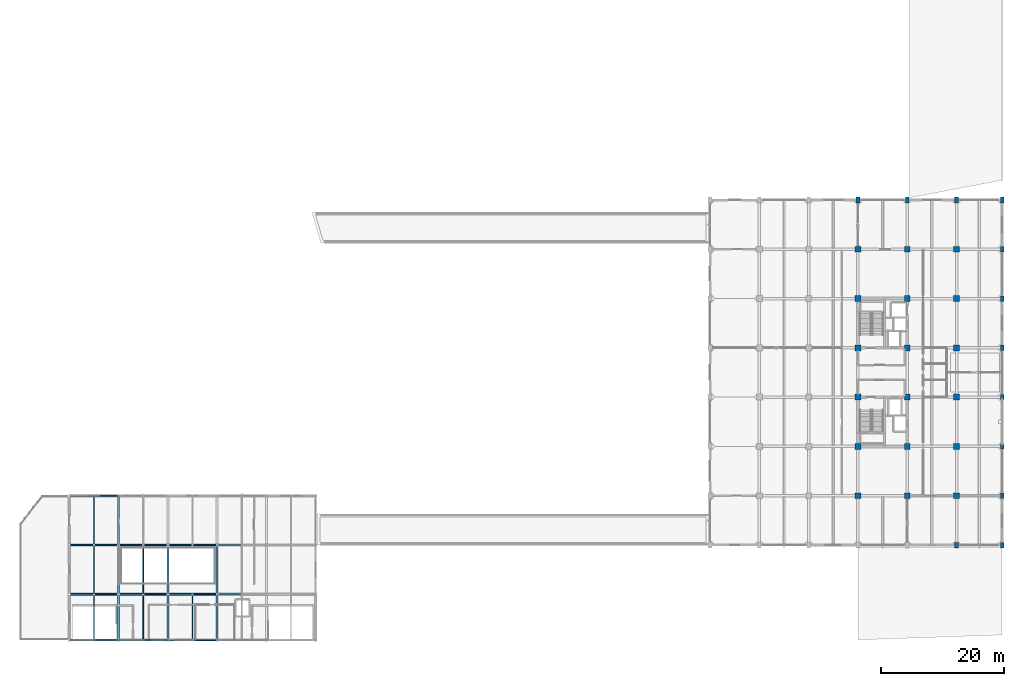
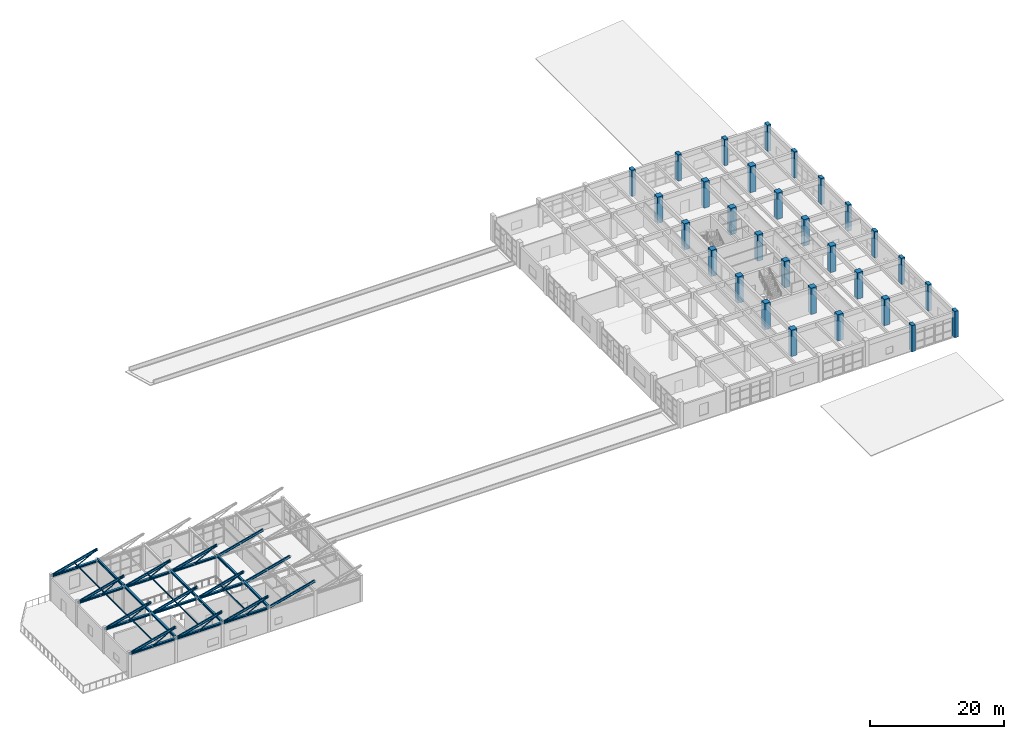
# One storey, part 2 of 63: 30 columns, 26 members, 20 beams.
"""IFC4 building model written with IfcOpenShell, lengths in metres."""

from ifc_helpers import new_model, si_unit, direction, frame, origin, origin_2d, place, context, subcontext, project, spatial, rectangle, hollow_rectangle, hollow_circle, i_section, extrude, material, material_profile, profile_set, type_object, element, save


model = new_model("IFC4")

# Units and contexts
model_context = context("Model", 3, precision=1e-05, world=origin(), true_north=direction((0.0, 1.0)))
body_context = subcontext(model_context, "Body", "Model", "MODEL_VIEW")
ifc_project = project(units=[si_unit("LENGTHUNIT", "METRE"), si_unit("AREAUNIT", "SQUARE_METRE"), si_unit("VOLUMEUNIT", "CUBIC_METRE"), si_unit("PLANEANGLEUNIT", "RADIAN"), si_unit("MASSUNIT", "GRAM", prefix="KILO")], contexts=[model_context])

# Site, building, storey
site_placement = place(None, origin())
site = spatial("IfcSite", under=ifc_project, at=site_placement, CompositionType="ELEMENT")
building_placement = place(site_placement, origin())
building = spatial("IfcBuilding", under=site, at=building_placement, Name="Canggui Botanical Conservatory", CompositionType="ELEMENT")
storey_placement = place(building_placement, frame((0.0, 0.0, 10.199951171875)))
storey = spatial("IfcBuildingStorey", under=building, at=storey_placement, Name="L03", CompositionType="ELEMENT", Elevation=10.199951171875)

# Columns
ifc_material_1 = material(Name="Concrete C50", Category="concrete")
ifc_material_profile_1 = material_profile(ifc_material_1, rectangle(XDim=0.949951171875, YDim=0.949951171875, at=origin_2d()), Name="RC 950x950")
ifc_profile_set_1 = profile_set([ifc_material_profile_1], Name="Concrete C50")
column_type_1 = type_object("IfcColumnType", Name="COL-KZ04", PredefinedType="COLUMN", material=ifc_profile_set_1)
for number, where, z_axis, x_axis, name in (
    (1, (154.0, 34.0, 0.0), (0.0, 0.0, 1.0), (1.0, 0.0, 0.0), "Tower RC Column L03 (154,34)"),
    (2, (154.0, 42.0, 0.0), (0.0, 0.0, 1.0), (1.0, 0.0, 0.0), "Tower RC Column L03 (154,42)"),
    (3, (154.0, 50.0, 0.0), (0.0, 0.0, 1.0), (1.0, 0.0, 0.0), "Tower RC Column L03 (154,50)"),
    (4, (154.0, 58.0, 0.0), (0.0, 0.0, 1.0), (1.0, 0.0, 0.0), "Tower RC Column L03 (154,58)"),
    (5, (154.0, 66.0, 0.0), (0.0, 0.0, 1.0), (1.0, 0.0, 0.0), "Tower RC Column L03 (154,66)"),
    (6, (154.0, 74.0, 0.0), (0.0, 0.0, 1.0), (1.0, 0.0, 0.0), "Tower RC Column L03 (154,74)"),
    (7, (162.0, 34.0, 0.0), (0.0, 0.0, 1.0), (1.0, 0.0, 0.0), "Tower RC Column L03 (162,34)"),
    (8, (162.0, 42.0, 0.0), (0.0, 0.0, 1.0), (1.0, 0.0, 0.0), "Tower RC Column L03 (162,42)"),
    (9, (162.0, 50.0, 0.0), (0.0, 0.0, 1.0), (1.0, 0.0, 0.0), "Tower RC Column L03 (162,50)"),
    (10, (162.0, 58.0, 0.0), (0.0, 0.0, 1.0), (1.0, 0.0, 0.0), "Tower RC Column L03 (162,58)"),
    (11, (162.0, 66.0, 0.0), (0.0, 0.0, 1.0), (1.0, 0.0, 0.0), "Tower RC Column L03 (162,66)"),
    (12, (162.0, 74.0, 0.0), (0.0, 0.0, 1.0), (1.0, 0.0, 0.0), "Tower RC Column L03 (162,74)"),
    (13, (170.0, 34.0, 0.0), (0.0, 0.0, 1.0), (1.0, 0.0, 0.0), "Tower RC Column L03 (170,34)"),
    (14, (170.0, 42.0, 0.0), (0.0, 0.0, 1.0), (1.0, 0.0, 0.0), "Tower RC Column L03 (170,42)"),
    (15, (170.0, 50.0, 0.0), (0.0, 0.0, 1.0), (1.0, 0.0, 0.0), "Tower RC Column L03 (170,50)"),
    (16, (170.0, 58.0, 0.0), (0.0, 0.0, 1.0), (1.0, 0.0, 0.0), "Tower RC Column L03 (170,58)"),
    (17, (170.0, 66.0, 0.0), (0.0, 0.0, 1.0), (1.0, 0.0, 0.0), "Tower RC Column L03 (170,66)"),
    (18, (170.0, 74.0, 0.0), (0.0, 0.0, 1.0), (1.0, 0.0, 0.0), "Tower RC Column L03 (170,74)"),
):
    element("IfcColumn", number, at=place(storey_placement, frame(where, z_axis=z_axis, x_axis=x_axis)), inside=storey, type_object=column_type_1, Name=name, PredefinedType="COLUMN", context=body_context, shape_type="SweptSolid", body=[
        extrude(rectangle(XDim=0.949951171875, YDim=0.949951171875, at=origin_2d()), origin(), (0.0, 0.0, 1.0), 4.800048828125),
    ])
ifc_material_profile_2 = material_profile(ifc_material_1, rectangle(XDim=0.60009765625, YDim=0.89990234375, at=origin_2d()), Name="RC 600x900")
ifc_profile_set_2 = profile_set([ifc_material_profile_2], Name="Concrete C50")
column_type_2 = type_object("IfcColumnType", Name="COL-KZ17", PredefinedType="COLUMN", material=ifc_profile_set_2)
for number, where, z_axis, x_axis, name in (
    (19, (154.0, 82.0, 0.0), (0.0, 0.0, 1.0), (1.0, 0.0, 0.0), "Tower RC Column L03 (154,82)"),
    (20, (162.0, 82.0, 0.0), (0.0, 0.0, 1.0), (1.0, 0.0, 0.0), "Tower RC Column L03 (162,82)"),
    (21, (170.0, 26.0, 0.0), (0.0, 0.0, 1.0), (1.0, 0.0, 0.0), "Tower RC Column L03 (170,26)"),
    (22, (170.0, 82.0, 0.0), (0.0, 0.0, 1.0), (1.0, 0.0, 0.0), "Tower RC Column L03 (170,82)"),
    (23, (177.39990234375, 26.0, 0.0), (0.0, 0.0, 1.0), (1.0, 0.0, 0.0), "Tower RC Column L03 (178,26)"),
    (24, (177.39990234375, 34.0, 0.0), (0.0, 0.0, 1.0), (1.0, 0.0, 0.0), "Tower RC Column L03 (178,34)"),
    (25, (177.39990234375, 42.0, 0.0), (0.0, 0.0, 1.0), (1.0, 0.0, 0.0), "Tower RC Column L03 (178,42)"),
    (26, (177.39990234375, 50.0, 0.0), (0.0, 0.0, 1.0), (1.0, 0.0, 0.0), "Tower RC Column L03 (178,50)"),
    (27, (177.39990234375, 58.0, 0.0), (0.0, 0.0, 1.0), (1.0, 0.0, 0.0), "Tower RC Column L03 (178,58)"),
    (28, (177.39990234375, 66.0, 0.0), (0.0, 0.0, 1.0), (1.0, 0.0, 0.0), "Tower RC Column L03 (178,66)"),
    (29, (177.39990234375, 74.0, 0.0), (0.0, 0.0, 1.0), (1.0, 0.0, 0.0), "Tower RC Column L03 (178,74)"),
    (30, (177.39990234375, 82.0, 0.0), (0.0, 0.0, 1.0), (1.0, 0.0, 0.0), "Tower RC Column L03 (178,82)"),
):
    element("IfcColumn", number, at=place(storey_placement, frame(where, z_axis=z_axis, x_axis=x_axis)), inside=storey, type_object=column_type_2, Name=name, PredefinedType="COLUMN", context=body_context, shape_type="SweptSolid", body=[
        extrude(rectangle(XDim=0.60009765625, YDim=0.89990234375, at=origin_2d()), origin(), (0.0, 0.0, 1.0), 4.800048828125),
    ])

# Beams
ifc_material_2 = material(Name="Steel Q355B", Category="steel")
ifc_material_profile_3 = material_profile(ifc_material_2, i_section(OverallWidth=0.300048828125, OverallDepth=0.39990234375, WebThickness=0.010009765625, FlangeThickness=0.01611328125, FilletRadius=0.02197265625, at=origin_2d()), Name="HM 400x300x10x16")
ifc_profile_set_3 = profile_set([ifc_material_profile_3], Name="Steel Q355B")
beam_type_1 = type_object("IfcBeamType", Name="BM-GL03", PredefinedType="BEAM", material=ifc_profile_set_3)
beam_1_placement = place(storey_placement, frame((34.0, 10.60009765625, 4.60009765625), z_axis=(0.0, 1.0, 0.0), x_axis=(-1.0, 0.0, 0.0)))
element("IfcBeam", 31, at=beam_1_placement, inside=storey, type_object=beam_type_1, Name="Visitor Clerestory Support Girder 1-1", PredefinedType="BEAM", context=body_context, shape_type="SweptSolid", body=[
    extrude(i_section(OverallWidth=0.300048828125, OverallDepth=0.39990234375, WebThickness=0.010009765625, FlangeThickness=0.01611328125, FilletRadius=0.02197265625, at=origin_2d()), origin(), (0.0, 0.0, 1.0), 7.39990234375),
])
for number, where, z_axis, x_axis, name in (
    (32, (34.0, 18.0, 4.60009765625), (0.0, 1.0, 0.0), (-1.0, 0.0, 0.0), "Visitor Clerestory Support Girder 1-2"),
    (33, (34.0, 26.0, 4.60009765625), (0.0, 1.0, 0.0), (-1.0, 0.0, 0.0), "Visitor Clerestory Support Girder 1-3"),
):
    element("IfcBeam", number, at=place(storey_placement, frame(where, z_axis=z_axis, x_axis=x_axis)), inside=storey, type_object=beam_type_1, Name=name, PredefinedType="BEAM", context=body_context, shape_type="SweptSolid", body=[
        extrude(i_section(OverallWidth=0.300048828125, OverallDepth=0.39990234375, WebThickness=0.010009765625, FlangeThickness=0.01611328125, FilletRadius=0.02197265625, at=origin_2d()), origin(), (0.0, 0.0, 1.0), 8.0),
    ])
beam_2_placement = place(storey_placement, frame((42.0, 10.60009765625, 4.60009765625), z_axis=(0.0, 1.0, 0.0), x_axis=(-1.0, 0.0, 0.0)))
element("IfcBeam", 34, at=beam_2_placement, inside=storey, type_object=beam_type_1, Name="Visitor Clerestory Support Girder 2-1", PredefinedType="BEAM", context=body_context, shape_type="SweptSolid", body=[
    extrude(i_section(OverallWidth=0.300048828125, OverallDepth=0.39990234375, WebThickness=0.010009765625, FlangeThickness=0.01611328125, FilletRadius=0.02197265625, at=origin_2d()), origin(), (0.0, 0.0, 1.0), 7.39990234375),
])
beam_3_placement = place(storey_placement, frame((42.0, 18.0, 4.60009765625), z_axis=(0.0, 1.0, 0.0), x_axis=(-1.0, 0.0, 0.0)))
element("IfcBeam", 35, at=beam_3_placement, inside=storey, type_object=beam_type_1, Name="Visitor Clerestory Support Girder 2-2", PredefinedType="BEAM", context=body_context, shape_type="SweptSolid", body=[
    extrude(i_section(OverallWidth=0.300048828125, OverallDepth=0.39990234375, WebThickness=0.010009765625, FlangeThickness=0.01611328125, FilletRadius=0.02197265625, at=origin_2d()), origin(), (0.0, 0.0, 1.0), 8.0),
])
beam_4_placement = place(storey_placement, frame((50.0, 10.60009765625, 4.60009765625), z_axis=(0.0, 1.0, 0.0), x_axis=(-1.0, 0.0, 0.0)))
element("IfcBeam", 36, at=beam_4_placement, inside=storey, type_object=beam_type_1, Name="Visitor Clerestory Support Girder 3-1", PredefinedType="BEAM", context=body_context, shape_type="SweptSolid", body=[
    extrude(i_section(OverallWidth=0.300048828125, OverallDepth=0.39990234375, WebThickness=0.010009765625, FlangeThickness=0.01611328125, FilletRadius=0.02197265625, at=origin_2d()), origin(), (0.0, 0.0, 1.0), 7.39990234375),
])
beam_5_placement = place(storey_placement, frame((50.0, 18.0, 4.60009765625), z_axis=(0.0, 1.0, 0.0), x_axis=(-1.0, 0.0, 0.0)))
element("IfcBeam", 37, at=beam_5_placement, inside=storey, type_object=beam_type_1, Name="Visitor Clerestory Support Girder 3-2", PredefinedType="BEAM", context=body_context, shape_type="SweptSolid", body=[
    extrude(i_section(OverallWidth=0.300048828125, OverallDepth=0.39990234375, WebThickness=0.010009765625, FlangeThickness=0.01611328125, FilletRadius=0.02197265625, at=origin_2d()), origin(), (0.0, 0.0, 1.0), 8.0),
])
ifc_material_profile_4 = material_profile(ifc_material_2, i_section(OverallWidth=0.199951171875, OverallDepth=0.449951171875, WebThickness=0.009033203125, FlangeThickness=0.013916015625, FilletRadius=0.01806640625, at=origin_2d()), Name="HN 450x200x9x14")
ifc_profile_set_4 = profile_set([ifc_material_profile_4], Name="Steel Q355B")
beam_type_2 = type_object("IfcBeamType", Name="BM-GL07", PredefinedType="BEAM", material=ifc_profile_set_4)
for number, where, z_axis, x_axis, name in (
    (38, (26.0, 10.60009765625, 4.35009765625), (0.967235314575, 0.0, 0.253881559468), (0.0, 1.0, 0.0), "Visitor Sawtooth Steel Rafter 1-Y10"),
    (39, (26.0, 18.0, 4.35009765625), (0.967235314575, 0.0, 0.253881559468), (0.0, 1.0, 0.0), "Visitor Sawtooth Steel Rafter 1-Y18"),
    (40, (26.0, 26.0, 4.35009765625), (0.967235314575, 0.0, 0.253881559468), (0.0, 1.0, 0.0), "Visitor Sawtooth Steel Rafter 1-Y26"),
    (41, (26.0, 34.0, 4.35009765625), (0.967235314575, 0.0, 0.253881559468), (0.0, 1.0, 0.0), "Visitor Sawtooth Steel Rafter 1-Y34"),
    (42, (34.0, 10.60009765625, 4.35009765625), (0.967235314575, 0.0, 0.253881559468), (0.0, 1.0, 0.0), "Visitor Sawtooth Steel Rafter 2-Y10"),
    (43, (34.0, 18.0, 4.35009765625), (0.967235314575, 0.0, 0.253881559468), (0.0, 1.0, 0.0), "Visitor Sawtooth Steel Rafter 2-Y18"),
    (44, (34.0, 26.0, 4.35009765625), (0.967235314575, 0.0, 0.253881559468), (0.0, 1.0, 0.0), "Visitor Sawtooth Steel Rafter 2-Y26"),
    (45, (42.0, 10.60009765625, 4.35009765625), (0.967235314575, 0.0, 0.253881559468), (0.0, 1.0, 0.0), "Visitor Sawtooth Steel Rafter 3-Y10"),
    (46, (42.0, 18.0, 4.35009765625), (0.967235314575, 0.0, 0.253881559468), (0.0, 1.0, 0.0), "Visitor Sawtooth Steel Rafter 3-Y18"),
    (47, (42.0, 26.0, 4.35009765625), (0.967235314575, 0.0, 0.253881559468), (0.0, 1.0, 0.0), "Visitor Sawtooth Steel Rafter 3-Y26"),
    (48, (50.0, 10.60009765625, 4.35009765625), (0.967235314575, 0.0, 0.253881559468), (0.0, 1.0, 0.0), "Visitor Sawtooth Steel Rafter 4-Y10"),
    (49, (50.0, 18.0, 4.35009765625), (0.967235314575, 0.0, 0.253881559468), (0.0, 1.0, 0.0), "Visitor Sawtooth Steel Rafter 4-Y18"),
    (50, (50.0, 26.0, 4.35009765625), (0.967235314575, 0.0, 0.253881559468), (0.0, 1.0, 0.0), "Visitor Sawtooth Steel Rafter 4-Y26"),
):
    element("IfcBeam", number, at=place(storey_placement, frame(where, z_axis=z_axis, x_axis=x_axis)), inside=storey, type_object=beam_type_2, Name=name, PredefinedType="BEAM", context=body_context, shape_type="SweptSolid", body=[
        extrude(i_section(OverallWidth=0.199951171875, OverallDepth=0.449951171875, WebThickness=0.009033203125, FlangeThickness=0.013916015625, FilletRadius=0.01806640625, at=origin_2d()), origin(), (0.0, 0.0, 1.0), 8.27099609375),
    ])

# Members
ifc_material_profile_5 = material_profile(ifc_material_2, hollow_rectangle(XDim=0.1201171875, YDim=0.199951171875, WallThickness=0.008056640625, at=origin_2d()), Name="RHS 120x200x8")
ifc_profile_set_5 = profile_set([ifc_material_profile_5], Name="Steel Q355B")
member_type_1 = type_object("IfcMemberType", Name="MEM-PUR02", PredefinedType="PURLIN", material=ifc_profile_set_5)
member_1_placement = place(storey_placement, frame((30.0, 10.60009765625, 5.400146484375), z_axis=(0.0, 1.0, 0.0), x_axis=(-1.0, 0.0, 0.0)))
element("IfcMember", 51, at=member_1_placement, inside=storey, type_object=member_type_1, Name="Visitor Sawtooth Roof Purlin 1-1", PredefinedType="PURLIN", context=body_context, shape_type="SweptSolid", body=[
    extrude(hollow_rectangle(XDim=0.1201171875, YDim=0.199951171875, WallThickness=0.008056640625, at=origin_2d()), origin(), (0.0, 0.0, 1.0), 7.39990234375),
])
for number, where, z_axis, x_axis, name in (
    (52, (30.0, 18.0, 5.400146484375), (0.0, 1.0, 0.0), (-1.0, 0.0, 0.0), "Visitor Sawtooth Roof Purlin 1-2"),
    (53, (30.0, 26.0, 5.400146484375), (0.0, 1.0, 0.0), (-1.0, 0.0, 0.0), "Visitor Sawtooth Roof Purlin 1-3"),
):
    element("IfcMember", number, at=place(storey_placement, frame(where, z_axis=z_axis, x_axis=x_axis)), inside=storey, type_object=member_type_1, Name=name, PredefinedType="PURLIN", context=body_context, shape_type="SweptSolid", body=[
        extrude(hollow_rectangle(XDim=0.1201171875, YDim=0.199951171875, WallThickness=0.008056640625, at=origin_2d()), origin(), (0.0, 0.0, 1.0), 8.0),
    ])
member_2_placement = place(storey_placement, frame((38.0, 10.60009765625, 5.400146484375), z_axis=(0.0, 1.0, 0.0), x_axis=(-1.0, 0.0, 0.0)))
element("IfcMember", 54, at=member_2_placement, inside=storey, type_object=member_type_1, Name="Visitor Sawtooth Roof Purlin 2-1", PredefinedType="PURLIN", context=body_context, shape_type="SweptSolid", body=[
    extrude(hollow_rectangle(XDim=0.1201171875, YDim=0.199951171875, WallThickness=0.008056640625, at=origin_2d()), origin(), (0.0, 0.0, 1.0), 7.39990234375),
])
member_3_placement = place(storey_placement, frame((38.0, 18.0, 5.400146484375), z_axis=(0.0, 1.0, 0.0), x_axis=(-1.0, 0.0, 0.0)))
element("IfcMember", 55, at=member_3_placement, inside=storey, type_object=member_type_1, Name="Visitor Sawtooth Roof Purlin 2-2", PredefinedType="PURLIN", context=body_context, shape_type="SweptSolid", body=[
    extrude(hollow_rectangle(XDim=0.1201171875, YDim=0.199951171875, WallThickness=0.008056640625, at=origin_2d()), origin(), (0.0, 0.0, 1.0), 8.0),
])
member_4_placement = place(storey_placement, frame((46.0, 10.60009765625, 5.400146484375), z_axis=(0.0, 1.0, 0.0), x_axis=(-1.0, 0.0, 0.0)))
element("IfcMember", 56, at=member_4_placement, inside=storey, type_object=member_type_1, Name="Visitor Sawtooth Roof Purlin 3-1", PredefinedType="PURLIN", context=body_context, shape_type="SweptSolid", body=[
    extrude(hollow_rectangle(XDim=0.1201171875, YDim=0.199951171875, WallThickness=0.008056640625, at=origin_2d()), origin(), (0.0, 0.0, 1.0), 7.39990234375),
])
ifc_material_profile_6 = material_profile(ifc_material_2, i_section(OverallWidth=0.35009765625, OverallDepth=0.35009765625, WebThickness=0.011962890625, FlangeThickness=0.01904296875, FilletRadius=0.02001953125, at=origin_2d()), Name="HW 350x350x12x19")
ifc_profile_set_6 = profile_set([ifc_material_profile_6], Name="Steel Q355B")
member_type_2 = type_object("IfcMemberType", Name="MEM-TC09", PredefinedType="CHORD", material=ifc_profile_set_6)
for number, where, z_axis, x_axis, name in (
    (57, (26.0, 10.60009765625, 4.35009765625), (1.0, 0.0, 0.0), (0.0, 1.0, 0.0), "Visitor Sawtooth Truss Tie Chord 1-Y10"),
    (58, (26.0, 18.0, 4.35009765625), (1.0, 0.0, 0.0), (0.0, 1.0, 0.0), "Visitor Sawtooth Truss Tie Chord 1-Y18"),
    (59, (26.0, 26.0, 4.35009765625), (1.0, 0.0, 0.0), (0.0, 1.0, 0.0), "Visitor Sawtooth Truss Tie Chord 1-Y26"),
    (60, (26.0, 34.0, 4.35009765625), (1.0, 0.0, 0.0), (0.0, 1.0, 0.0), "Visitor Sawtooth Truss Tie Chord 1-Y34"),
    (61, (34.0, 10.60009765625, 4.35009765625), (1.0, 0.0, 0.0), (0.0, 1.0, 0.0), "Visitor Sawtooth Truss Tie Chord 2-Y10"),
    (62, (34.0, 18.0, 4.35009765625), (1.0, 0.0, 0.0), (0.0, 1.0, 0.0), "Visitor Sawtooth Truss Tie Chord 2-Y18"),
    (63, (34.0, 26.0, 4.35009765625), (1.0, 0.0, 0.0), (0.0, 1.0, 0.0), "Visitor Sawtooth Truss Tie Chord 2-Y26"),
    (64, (42.0, 10.60009765625, 4.35009765625), (1.0, 0.0, 0.0), (0.0, 1.0, 0.0), "Visitor Sawtooth Truss Tie Chord 3-Y10"),
    (65, (42.0, 18.0, 4.35009765625), (1.0, 0.0, 0.0), (0.0, 1.0, 0.0), "Visitor Sawtooth Truss Tie Chord 3-Y18"),
    (66, (42.0, 26.0, 4.35009765625), (1.0, 0.0, 0.0), (0.0, 1.0, 0.0), "Visitor Sawtooth Truss Tie Chord 3-Y26"),
):
    element("IfcMember", number, at=place(storey_placement, frame(where, z_axis=z_axis, x_axis=x_axis)), inside=storey, type_object=member_type_2, Name=name, PredefinedType="CHORD", context=body_context, shape_type="SweptSolid", body=[
        extrude(i_section(OverallWidth=0.35009765625, OverallDepth=0.35009765625, WebThickness=0.011962890625, FlangeThickness=0.01904296875, FilletRadius=0.02001953125, at=origin_2d()), origin(), (0.0, 0.0, 1.0), 8.0),
    ])
ifc_material_profile_7 = material_profile(ifc_material_2, hollow_circle(Radius=0.056884765625, WallThickness=0.006103515625, at=origin_2d()), Name="CHS 114x6")
ifc_profile_set_7 = profile_set([ifc_material_profile_7], Name="Steel Q355B")
member_type_3 = type_object("IfcMemberType", Name="MEM-TW03", PredefinedType="BRACE", material=ifc_profile_set_7)
for number, where, z_axis, x_axis, name in (
    (67, (30.0, 10.60009765625, 4.35009765625), (0.88541124729, 0.0, 0.464808480099), (0.0, 1.0, 0.0), "Visitor Sawtooth Truss Diagonal 1-Y10"),
    (68, (30.0, 18.0, 4.35009765625), (0.88541124729, 0.0, 0.464808480099), (0.0, 1.0, 0.0), "Visitor Sawtooth Truss Diagonal 1-Y18"),
    (69, (30.0, 26.0, 4.35009765625), (0.88541124729, 0.0, 0.464808480099), (0.0, 1.0, 0.0), "Visitor Sawtooth Truss Diagonal 1-Y26"),
    (70, (30.0, 34.0, 4.35009765625), (0.88541124729, 0.0, 0.464808480099), (0.0, 1.0, 0.0), "Visitor Sawtooth Truss Diagonal 1-Y34"),
    (71, (38.0, 10.60009765625, 4.35009765625), (0.88541124729, 0.0, 0.464808480099), (0.0, 1.0, 0.0), "Visitor Sawtooth Truss Diagonal 2-Y10"),
    (72, (38.0, 18.0, 4.35009765625), (0.88541124729, 0.0, 0.464808480099), (0.0, 1.0, 0.0), "Visitor Sawtooth Truss Diagonal 2-Y18"),
    (73, (38.0, 26.0, 4.35009765625), (0.88541124729, 0.0, 0.464808480099), (0.0, 1.0, 0.0), "Visitor Sawtooth Truss Diagonal 2-Y26"),
    (74, (46.0, 10.60009765625, 4.35009765625), (0.88541124729, 0.0, 0.464808480099), (0.0, 1.0, 0.0), "Visitor Sawtooth Truss Diagonal 3-Y10"),
    (75, (46.0, 18.0, 4.35009765625), (0.88541124729, 0.0, 0.464808480099), (0.0, 1.0, 0.0), "Visitor Sawtooth Truss Diagonal 3-Y18"),
    (76, (46.0, 26.0, 4.35009765625), (0.88541124729, 0.0, 0.464808480099), (0.0, 1.0, 0.0), "Visitor Sawtooth Truss Diagonal 3-Y26"),
):
    element("IfcMember", number, at=place(storey_placement, frame(where, z_axis=z_axis, x_axis=x_axis)), inside=storey, type_object=member_type_3, Name=name, PredefinedType="BRACE", context=body_context, shape_type="SweptSolid", body=[
        extrude(hollow_circle(Radius=0.056884765625, WallThickness=0.006103515625, at=origin_2d()), origin(), (0.0, 0.0, 1.0), 4.517578125),
    ])

save(model, "model.ifc")
